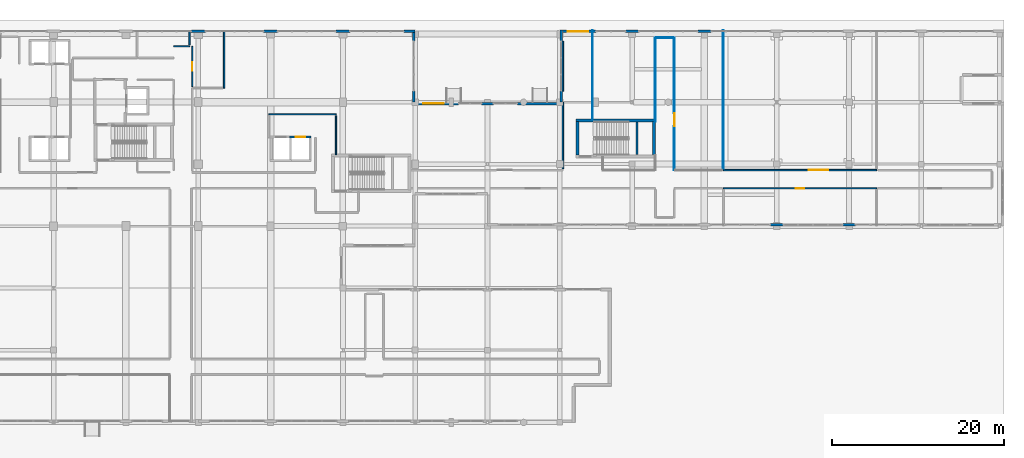
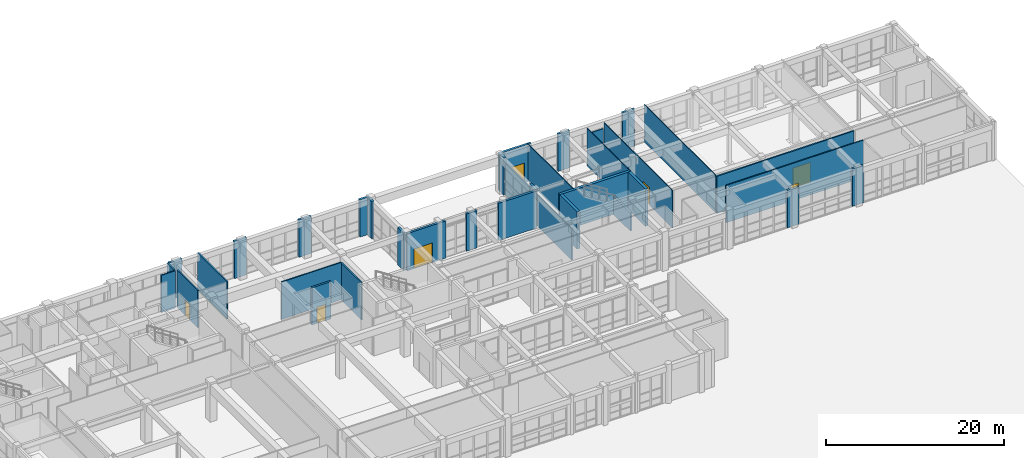
# One storey, part 134 of 148: 36 walls, 7 doors, 7 openings.
"""IFC4 building model written with IfcOpenShell, lengths in metres."""

import ifcopenshell
import ifcopenshell.guid

model = None  # the IFC model being written
_history = None  # IfcOwnerHistory: only IFC2X3 demands one
_inside = {}  # id of a spatial element -> (the spatial element, [elements in it])
_under = {}  # id of a project, library or spatial element -> (it, [spatial elements below it])
_declared = {}  # id of a project -> (the project, [libraries it declares])
_typed = {}  # id of a type object -> (the type object, [elements of that type])
_made_of = {}  # id of a material, layer set ... -> (it, [elements and type objects made of it])


def new_model(schema):
    """Start an empty IFC model of exactly this schema.

    Asked for "IFC4X3", IfcOpenShell would pick the latest addendum, in which some entities
    have other attributes; the version numbers below select the first issue.
    IFC2X3 requires an IfcOwnerHistory on every rooted entity: one is made here for all.
    """
    global model, _history
    if schema == "IFC4X3":
        model = ifcopenshell.file(schema_version=(4, 3, 0, 0))
    else:
        model = ifcopenshell.file(schema=schema)
    _inside.clear()
    _under.clear()
    _declared.clear()
    _typed.clear()
    _made_of.clear()
    _history = None
    if model.schema == "IFC2X3":
        org = make("IfcOrganization", Name="unknown")
        user = make(
            "IfcPersonAndOrganization",
            ThePerson=make("IfcPerson", FamilyName="unknown"),
            TheOrganization=org,
        )
        app = make(
            "IfcApplication",
            ApplicationDeveloper=org,
            Version="unknown",
            ApplicationFullName="unknown",
            ApplicationIdentifier="unknown",
        )
        _history = make(
            "IfcOwnerHistory",
            OwningUser=user,
            OwningApplication=app,
            ChangeAction="ADDED",
            CreationDate=0,
        )
    return model


def make(cls, **values):
    """One entity of the class cls with the attributes given. An attribute that is None is left unset."""
    return model.create_entity(
        cls, **{name: value for name, value in values.items() if value is not None}
    )


def rooted(cls, **values):
    """An entity with a GlobalId (a new one), such as an element, a storey or a relation."""
    return make(cls, GlobalId=ifcopenshell.guid.new(), OwnerHistory=_history, **values)


def si_unit(unit_type, name, prefix=None):
    """IfcSIUnit, for example si_unit("LENGTHUNIT", "METRE", prefix="MILLI")."""
    return make("IfcSIUnit", UnitType=unit_type, Prefix=prefix, Name=name)


def assignment(units):
    """IfcUnitAssignment: the units of a project."""
    return None if units is None else make("IfcUnitAssignment", Units=units)


def point(xyz):
    """IfcCartesianPoint."""
    return None if xyz is None else make("IfcCartesianPoint", Coordinates=xyz)


def direction(xyz):
    """IfcDirection."""
    return None if xyz is None else make("IfcDirection", DirectionRatios=xyz)


def frame(location, z_axis=None, x_axis=None):
    """IfcAxis2Placement3D, a coordinate frame: its origin and axes. An axis left out is left unset."""
    return make(
        "IfcAxis2Placement3D",
        Location=point(location),
        Axis=direction(z_axis),
        RefDirection=direction(x_axis),
    )


def frame_2d(location, x_axis=None):
    """IfcAxis2Placement2D, a coordinate frame in the plane: its origin and x axis."""
    return make(
        "IfcAxis2Placement2D", Location=point(location), RefDirection=direction(x_axis)
    )


def origin():
    """The frame at (0, 0, 0) with its axes left unset."""
    return frame((0.0, 0.0, 0.0))


def place(relative_to, where):
    """IfcLocalPlacement: puts the frame where relative to a parent placement (None: the world)."""
    return make(
        "IfcLocalPlacement", PlacementRelTo=relative_to, RelativePlacement=where
    )


def context(
    kind, dimensions, precision=None, world=None, true_north=None, identifier=None
):
    """IfcGeometricRepresentationContext, for example the 3D "Model" context."""
    return make(
        "IfcGeometricRepresentationContext",
        ContextIdentifier=identifier,
        ContextType=kind,
        CoordinateSpaceDimension=dimensions,
        Precision=precision,
        WorldCoordinateSystem=world,
        TrueNorth=true_north,
    )


def subcontext(parent, identifier, kind, view, scale=None):
    """IfcGeometricRepresentationSubContext, for example "Body" below "Model"."""
    return make(
        "IfcGeometricRepresentationSubContext",
        ContextIdentifier=identifier,
        ContextType=kind,
        ParentContext=parent,
        TargetScale=scale,
        TargetView=view,
    )


def project(units=None, contexts=None):
    """IfcProject with its units and contexts."""
    return rooted(
        "IfcProject",
        Name="project",
        RepresentationContexts=contexts,
        UnitsInContext=assignment(units),
    )


def spatial(cls, under=None, at=None, **own):
    """A site, building, storey or space (cls), placed at a placement, below another one or the project."""
    s = rooted(cls, ObjectPlacement=at, **own)
    if under is not None:
        _under.setdefault(under.id(), (under, []))[1].append(s)
    return s


def profile(cls, at=None, kind="AREA", **sizes):
    """A parametric profile (cls). Its sizes go by their IFC names, for example OverallWidth=200.0."""
    return make(cls, ProfileType=kind, Position=at, **sizes)


def rectangle(**sizes):
    """IfcRectangleProfileDef."""
    return profile("IfcRectangleProfileDef", **sizes)


def extrude(swept, where, along, depth):
    """IfcExtrudedAreaSolid: the profile swept, set in the frame where, extruded along a direction by depth."""
    return make(
        "IfcExtrudedAreaSolid",
        SweptArea=swept,
        Position=where,
        ExtrudedDirection=direction(along),
        Depth=depth,
    )


def shape(context_of_items, identifier, shape_type, items):
    """IfcShapeRepresentation: the items that make up one representation, for example the "Body"."""
    return make(
        "IfcShapeRepresentation",
        ContextOfItems=context_of_items,
        RepresentationIdentifier=identifier,
        RepresentationType=shape_type,
        Items=items,
    )


def material(Name=None, Category=None):
    """IfcMaterial."""
    return make("IfcMaterial", Name=Name, Category=Category)


def layer(
    of_material, thickness, ventilated=None, Name=None, Category=None, Priority=None
):
    """IfcMaterialLayer: one layer of a wall or slab, of a material (None: an air gap)."""
    return make(
        "IfcMaterialLayer",
        Material=of_material,
        LayerThickness=thickness,
        IsVentilated=ventilated,
        Name=Name,
        Category=Category,
        Priority=Priority,
    )


def layer_set(layers, Name=None):
    """IfcMaterialLayerSet."""
    return make("IfcMaterialLayerSet", MaterialLayers=layers, LayerSetName=Name)


def made_of(thing, what):
    """Note that an element or type object is made of a material, layer set ...; save() writes the relation."""
    if what is not None:
        _made_of.setdefault(what.id(), (what, []))[1].append(thing)
    return thing


def type_object(cls, material=None, **own):
    """A type object (cls), such as IfcWallType, which elements share."""
    return made_of(rooted(cls, **own), material)


def element(
    cls,
    number,
    at=None,
    inside=None,
    cuts=None,
    type_object=None,
    material=None,
    context=None,
    identifier="Body",
    shape_type=None,
    held_by="IfcProductDefinitionShape",
    body=None,
    shapes=None,
    **own,
):
    """One element of the class cls, such as IfcWall. Its Tag is "e" and its number.

    at: its placement. inside: the storey or other place that contains it. cuts: it is an
    opening in that element (IfcRelVoidsElement). A single representation is given by context,
    identifier, shape_type and body (its items); several are given by shapes. held_by: the class
    of the entity that holds the representations. save() writes the other relations.
    """
    e = rooted(cls, Tag="e%d" % number, ObjectPlacement=at, **own)
    if body is not None:
        shapes = [shape(context, identifier, shape_type, body)]
    if shapes is not None:
        e.Representation = make(held_by, Representations=shapes)
    if inside is not None:
        _inside.setdefault(inside.id(), (inside, []))[1].append(e)
    if cuts is not None:
        rooted(
            "IfcRelVoidsElement", RelatingBuildingElement=cuts, RelatedOpeningElement=e
        )
    if type_object is not None:
        _typed.setdefault(type_object.id(), (type_object, []))[1].append(e)
    return made_of(e, material)


def fill(opening, filler):
    """IfcRelFillsElement: the door or window that sits in an opening."""
    return rooted(
        "IfcRelFillsElement",
        RelatingOpeningElement=opening,
        RelatedBuildingElement=filler,
    )


def aggregate(whole, parts):
    """IfcRelAggregates: a whole, such as a stair, and the parts it consists of."""
    return rooted("IfcRelAggregates", RelatingObject=whole, RelatedObjects=parts)


def save(model, path):
    """Write the relations noted so far, then the file.

    IfcRelAggregates (storeys below a building ...), IfcRelContainedInSpatialStructure (elements
    in a storey), IfcRelDefinesByType, IfcRelAssociatesMaterial and IfcRelDeclares: one each for
    every whole, place, type object, material and project.
    """
    for whole, parts in _under.values():
        aggregate(whole, parts)
    for where, things in _inside.values():
        rooted(
            "IfcRelContainedInSpatialStructure",
            RelatedElements=things,
            RelatingStructure=where,
        )
    for kind, things in _typed.values():
        rooted("IfcRelDefinesByType", RelatedObjects=things, RelatingType=kind)
    for what, things in _made_of.values():
        rooted("IfcRelAssociatesMaterial", RelatedObjects=things, RelatingMaterial=what)
    for by, libraries in _declared.values():
        rooted("IfcRelDeclares", RelatingContext=by, RelatedDefinitions=libraries)
    model.write(path)


model = new_model("IFC4")

# Units and contexts
model_context = context("Model", 3, precision=1e-05, world=origin(), true_north=direction((0.0, 1.0)))
body_context = subcontext(model_context, "Body", "Model", "MODEL_VIEW")
ifc_project = project(units=[si_unit("LENGTHUNIT", "METRE"), si_unit("AREAUNIT", "SQUARE_METRE"), si_unit("VOLUMEUNIT", "CUBIC_METRE"), si_unit("PLANEANGLEUNIT", "RADIAN"), si_unit("MASSUNIT", "GRAM", prefix="KILO")], contexts=[model_context])

# Site, building, storey
site_placement = place(None, origin())
site = spatial("IfcSite", under=ifc_project, at=site_placement, CompositionType="ELEMENT")
building_placement = place(site_placement, origin())
building = spatial("IfcBuilding", under=site, at=building_placement, Name="Quendrovan Civic Courthouse", CompositionType="ELEMENT")
storey_placement = place(building_placement, origin())
storey = spatial("IfcBuildingStorey", under=building, at=storey_placement, Name="L01", CompositionType="ELEMENT", Elevation=0.0)

# Walls
ifc_material_1 = material(Name="Fire-rated gypsum stud partition")
ifc_layer_1 = layer(ifc_material_1, 0.159912109375, Name="Fire-rated gypsum stud partition")
ifc_layer_set_1 = layer_set([ifc_layer_1], Name="Fire-rated gypsum stud partition")
wall_type_1 = type_object("IfcWallType", Name="WL-COR-160", PredefinedType="PARTITIONING", material=ifc_layer_set_1)
wall_1_placement = place(storey_placement, frame((109.550048828125, 109.10009765625, 0.0), z_axis=(0.0, 0.0, 1.0), x_axis=(0.0, -1.0, 0.0)))
element("IfcWall", 1, at=wall_1_placement, inside=storey, type_object=wall_type_1, Name="L01 Civil Case Registry Partition 0176", PredefinedType="PARTITIONING", context=body_context, shape_type="SweptSolid", body=[
    extrude(rectangle(XDim=5.800048828125, YDim=0.159912109375, at=frame_2d((2.89990234375, 0.0))), origin(), (0.0, 0.0, 1.0), 4.31005859375),
])
wall_2_placement = place(storey_placement, frame((109.550048828125, 102.0, 0.0), z_axis=(0.0, 0.0, 1.0), x_axis=(0.0, -1.0, 0.0)))
element("IfcWall", 2, at=wall_2_placement, inside=storey, type_object=wall_type_1, Name="L01 Civil Case Registry Partition 0177", PredefinedType="PARTITIONING", context=body_context, shape_type="SweptSolid", body=[
    extrude(rectangle(XDim=7.739990234375, YDim=0.159912109375, at=frame_2d((3.8701171875, 0.0))), origin(), (0.0, 0.0, 1.0), 4.31005859375),
])
wall_3_placement = place(storey_placement, frame((83.199951171875, 100.60009765625, 0.0), z_axis=(0.0, 0.0, 1.0), x_axis=(-1.0, 0.0, 0.0)))
element("IfcWall", 3, at=wall_3_placement, inside=storey, type_object=wall_type_1, Name="L01 Civil Case Registry Partition 0200", PredefinedType="PARTITIONING", context=body_context, shape_type="SweptSolid", body=[
    extrude(rectangle(XDim=7.800048828125, YDim=0.159912109375, at=frame_2d((3.89990234375, 0.0))), origin(), (0.0, 0.0, 1.0), 5.1201171875),
])
wall_4_placement = place(storey_placement, frame((70.199951171875, 110.25, 0.0), z_axis=(0.0, 0.0, 1.0), x_axis=(0.0, -1.0, 0.0)))
element("IfcWall", 4, at=wall_4_placement, inside=storey, type_object=wall_type_1, Name="L01 Fire Command Centre Partition 0207", PredefinedType="PARTITIONING", context=body_context, shape_type="SweptSolid", body=[
    extrude(rectangle(XDim=6.60009765625, YDim=0.159912109375, at=frame_2d((3.300048828125, 0.0))), origin(), (0.0, 0.0, 1.0), 5.1201171875),
])

# Wall, opening, door
wall_5_placement = place(storey_placement, frame((66.5, 103.81005859375, 0.0), z_axis=(0.0, 0.0, 1.0), x_axis=(0.0, 1.0, 0.0)))
wall_5 = element("IfcWall", 5, at=wall_5_placement, inside=storey, type_object=wall_type_1, Name="L01 Fire Command Centre Partition 0227", PredefinedType="PARTITIONING", context=body_context, shape_type="SweptSolid", body=[
    extrude(rectangle(XDim=4.68994140625, YDim=0.159912109375, at=frame_2d((2.344970703125, 0.0))), origin(), (0.0, 0.0, 1.0), 5.1201171875),
])
opening_1_placement = place(wall_5_placement, frame((1.864990234375, 0.0, 0.0)))
opening_1 = element("IfcOpeningElement", 6, at=opening_1_placement, cuts=wall_5, Name="Opening D-L01-027", PredefinedType="OPENING", context=body_context, shape_type="SweptSolid", body=[
    extrude(rectangle(XDim=0.9599609375, YDim=2.139892578125, at=frame_2d((0.47998046875, 1.06982421875))), frame((0.0, 0.08984375, 0.0), z_axis=(0.0, -1.0, 0.0), x_axis=(1.0, 0.0, 0.0)), (0.0, 0.0, 1.0), 0.179931640625),
])
ifc_material_2 = material(Name="Moisture-resistant laminate timber door", Category="wood")
door_type_1 = type_object("IfcDoorType", Name="DR-WC-ACC-960", OperationType="NOTDEFINED", PredefinedType="DOOR", material=ifc_material_2)
door_1_placement = place(opening_1_placement, origin())
door_1 = element("IfcDoor", 7, at=door_1_placement, inside=storey, type_object=door_type_1, Name="L01 Fire Command Centre Door D-L01-027", OperationType="SINGLE_SWING_RIGHT", OverallHeight=2.139892578125, OverallWidth=0.9599609375, PredefinedType="DOOR", context=body_context, shape_type="SweptSolid", body=[
    extrude(rectangle(XDim=0.9599609375, YDim=2.139892578125, at=frame_2d((0.47998046875, 1.06982421875))), frame((0.0, 0.02490234375, 0.0), z_axis=(0.0, -1.0, 0.0), x_axis=(1.0, 0.0, 0.0)), (0.0, 0.0, 1.0), 0.050048828125),
])
fill(opening_1, door_1)

# Walls
wall_6_placement = place(storey_placement, frame((83.199951171875, 95.919921875, 0.0), z_axis=(0.0, 0.0, 1.0), x_axis=(0.0, 1.0, 0.0)))
element("IfcWall", 8, at=wall_6_placement, inside=storey, type_object=wall_type_1, Name="L01 Civil Case Registry Partition 0231", PredefinedType="PARTITIONING", context=body_context, shape_type="SweptSolid", body=[
    extrude(rectangle(XDim=4.52001953125, YDim=0.159912109375, at=frame_2d((2.260009765625, 0.0))), origin(), (0.0, 0.0, 1.0), 5.1201171875),
])
wall_7_placement = place(storey_placement, frame((66.199951171875, 108.5, 0.0), z_axis=(0.0, 0.0, 1.0), x_axis=(-1.0, 0.0, 0.0)))
element("IfcWall", 9, at=wall_7_placement, inside=storey, type_object=wall_type_1, Name="L01 Civil Case Registry Partition 0276", PredefinedType="PARTITIONING", context=body_context, shape_type="SweptSolid", body=[
    extrude(rectangle(XDim=1.849853515625, YDim=0.159912109375, at=frame_2d((0.9248046875, 0.0))), origin(), (0.0, 0.0, 1.0), 5.1201171875),
])
wall_8_placement = place(storey_placement, frame((66.199951171875, 108.659912109375, 0.0), z_axis=(0.0, 0.0, 1.0), x_axis=(0.0, 1.0, 0.0)))
element("IfcWall", 10, at=wall_8_placement, inside=storey, type_object=wall_type_1, Name="L01 Fire Command Centre Partition 0281", PredefinedType="PARTITIONING", context=body_context, shape_type="SweptSolid", body=[
    extrude(rectangle(XDim=1.590087890625, YDim=0.159912109375, at=frame_2d((0.794921875, 0.0))), origin(), (0.0, 0.0, 1.0), 5.1201171875),
])
ifc_material_3 = material(Name="Concrete C45/55", Category="concrete")
ifc_layer_2 = layer(ifc_material_3, 0.35009765625, Name="Concrete C45/55")
ifc_layer_set_2 = layer_set([ifc_layer_2], Name="Concrete C45/55")
wall_type_2 = type_object("IfcWallType", Name="WL-CORE-350", PredefinedType="SHEAR", material=ifc_layer_set_2)
wall_9_placement = place(storey_placement, frame((120.31005859375, 99.885009765625, 0.0), z_axis=(0.0, 0.0, 1.0), x_axis=(-1.0, 0.0, 0.0)))
element("IfcWall", 11, at=wall_9_placement, inside=storey, type_object=wall_type_2, Name="L01 Core Shear Wall ST6-N", PredefinedType="SHEAR", context=body_context, shape_type="SweptSolid", body=[
    extrude(rectangle(XDim=9.219970703125, YDim=0.35009765625, at=frame_2d((4.60986328125, 0.0))), origin(), (0.0, 0.0, 1.0), 5.1201171875),
])
for number, where, z_axis, x_axis, name in (
    (12, (111.264892578125, 95.85009765625, 0.0), (0.0, 0.0, 1.0), (0.0, 1.0, 0.0), "L01 Core Shear Wall ST6-W"),
    (13, (120.135009765625, 99.75, 0.0), (0.0, 0.0, 1.0), (0.0, -1.0, 0.0), "L01 Core Shear Wall ST6-E"),
):
    element("IfcWall", number, at=place(storey_placement, frame(where, z_axis=z_axis, x_axis=x_axis)), inside=storey, type_object=wall_type_2, Name=name, PredefinedType="SHEAR", context=body_context, shape_type="SweptSolid", body=[
        extrude(rectangle(XDim=3.89990234375, YDim=0.35009765625, at=frame_2d((1.949951171875, 0.0))), origin(), (0.0, 0.0, 1.0), 5.1201171875),
    ])

# Wall, opening, door
ifc_material_4 = material(Name="Acoustic gypsum and mineral wool partition")
ifc_layer_3 = layer(ifc_material_4, 0.179931640625, Name="Acoustic gypsum and mineral wool partition")
ifc_layer_set_3 = layer_set([ifc_layer_3], Name="Acoustic gypsum and mineral wool partition")
wall_type_3 = type_object("IfcWallType", Name="WL-CRT-AC180", PredefinedType="PARTITIONING", material=ifc_layer_set_3)
wall_10_placement = place(storey_placement, frame((146.0, 94.10009765625, 0.0), z_axis=(0.0, 0.0, 1.0), x_axis=(-1.0, 0.0, 0.0)))
wall_10 = element("IfcWall", 14, at=wall_10_placement, inside=storey, type_object=wall_type_3, Name="L01 Ceremonial Courtroom Partition 0173", PredefinedType="PARTITIONING", context=body_context, shape_type="SweptSolid", body=[
    extrude(rectangle(XDim=17.800048828125, YDim=0.179931640625, at=frame_2d((8.89990234375, 0.0))), origin(), (0.0, 0.0, 1.0), 5.1201171875),
])
opening_2_placement = place(wall_10_placement, frame((5.6240234375, 0.0, 0.0)))
opening_2 = element("IfcOpeningElement", 15, at=opening_2_placement, cuts=wall_10, Name="Opening D-L01-042", PredefinedType="OPENING", context=body_context, shape_type="SweptSolid", body=[
    extrude(rectangle(XDim=2.280029296875, YDim=2.75, at=frame_2d((1.14013671875, 1.375))), frame((0.0, 0.10009765625, 0.0), z_axis=(0.0, -1.0, 0.0), x_axis=(1.0, 0.0, 0.0)), (0.0, 0.0, 1.0), 0.199951171875),
])
ifc_material_5 = material(Name="Bronze-framed acoustic timber ceremonial door", Category="wood")
door_type_2 = type_object("IfcDoorType", Name="DR-CER-DBL2280", OperationType="NOTDEFINED", PredefinedType="DOOR", material=ifc_material_5)
door_2_placement = place(opening_2_placement, origin())
door_2 = element("IfcDoor", 16, at=door_2_placement, inside=storey, type_object=door_type_2, Name="L01 Ceremonial Courtroom Door D-L01-042", OperationType="SINGLE_SWING_LEFT", OverallHeight=2.75, OverallWidth=2.280029296875, PredefinedType="DOOR", context=body_context, shape_type="SweptSolid", body=[
    extrude(rectangle(XDim=2.280029296875, YDim=2.75, at=frame_2d((1.14013671875, 1.375))), frame((0.0, 0.02490234375, 0.0), z_axis=(0.0, -1.0, 0.0), x_axis=(1.0, 0.0, 0.0)), (0.0, 0.0, 1.0), 0.050048828125),
])
fill(opening_2, door_2)

# Walls
ifc_material_6 = material(Name="Precast concrete C45/55", Category="concrete")
ifc_layer_4 = layer(ifc_material_6, 0.2900390625, Name="Precast concrete C45/55")
ifc_layer_set_4 = layer_set([ifc_layer_4], Name="Precast concrete C45/55")
wall_type_4 = type_object("IfcWallType", Name="WL-EXT-PC290", PredefinedType="SOLIDWALL", material=ifc_layer_set_4)
wall_11_placement = place(storey_placement, frame((66.375, 110.235107421875, 0.0), z_axis=(0.0, 0.0, 1.0), x_axis=(1.0, 0.0, 0.0)))
element("IfcWall", 17, at=wall_11_placement, inside=storey, type_object=wall_type_4, Name="L01 Exterior Pier Wall 103", PredefinedType="SOLIDWALL", context=body_context, shape_type="SweptSolid", body=[
    extrude(rectangle(XDim=1.64990234375, YDim=0.2900390625, at=frame_2d((0.824951171875, 0.0))), origin(), (0.0, 0.0, 1.0), 5.1201171875),
])
wall_12_placement = place(storey_placement, frame((74.800048828125, 110.235107421875, 0.0), z_axis=(0.0, 0.0, 1.0), x_axis=(1.0, 0.0, 0.0)))
element("IfcWall", 18, at=wall_12_placement, inside=storey, type_object=wall_type_4, Name="L01 Exterior Pier Wall 104", PredefinedType="SOLIDWALL", context=body_context, shape_type="SweptSolid", body=[
    extrude(rectangle(XDim=1.599853515625, YDim=0.2900390625, at=frame_2d((0.7998046875, 0.0))), origin(), (0.0, 0.0, 1.0), 5.1201171875),
])
wall_13_placement = place(storey_placement, frame((83.199951171875, 110.235107421875, 0.0), z_axis=(0.0, 0.0, 1.0), x_axis=(1.0, 0.0, 0.0)))
element("IfcWall", 19, at=wall_13_placement, inside=storey, type_object=wall_type_4, Name="L01 Exterior Pier Wall 105", PredefinedType="SOLIDWALL", context=body_context, shape_type="SweptSolid", body=[
    extrude(rectangle(XDim=1.60009765625, YDim=0.2900390625, at=frame_2d((0.800048828125, 0.0))), origin(), (0.0, 0.0, 1.0), 5.1201171875),
])
for number, where, z_axis, x_axis, name in (
    (20, (91.10009765625, 110.235107421875, 0.0), (0.0, 0.0, 1.0), (1.0, 0.0, 0.0), "L01 Exterior Pier Wall 106"),
    (21, (92.235107421875, 110.39990234375, 0.0), (0.0, 0.0, 1.0), (0.0, -1.0, 0.0), "L01 Exterior Pier Wall 107"),
):
    element("IfcWall", number, at=place(storey_placement, frame(where, z_axis=z_axis, x_axis=x_axis)), inside=storey, type_object=wall_type_4, Name=name, PredefinedType="SOLIDWALL", context=body_context, shape_type="SweptSolid", body=[
        extrude(rectangle(XDim=1.2998046875, YDim=0.2900390625, at=frame_2d((0.64990234375, 0.0))), origin(), (0.0, 0.0, 1.0), 5.1201171875),
    ])
wall_14_placement = place(storey_placement, frame((92.235107421875, 103.300048828125, 0.0), z_axis=(0.0, 0.0, 1.0), x_axis=(0.0, -1.0, 0.0)))
element("IfcWall", 22, at=wall_14_placement, inside=storey, type_object=wall_type_4, Name="L01 Exterior Pier Wall 108", PredefinedType="SOLIDWALL", context=body_context, shape_type="SweptSolid", body=[
    extrude(rectangle(XDim=1.300048828125, YDim=0.2900390625, at=frame_2d((0.64990234375, 0.0))), origin(), (0.0, 0.0, 1.0), 5.1201171875),
])

# Wall, opening, door
wall_15_placement = place(storey_placement, frame((92.39990234375, 101.8349609375, 0.0), z_axis=(0.0, 0.0, 1.0), x_axis=(1.0, 0.0, 0.0)))
wall_15 = element("IfcWall", 23, at=wall_15_placement, inside=storey, type_object=wall_type_4, Name="L01 Exterior Pier Wall 109", PredefinedType="SOLIDWALL", context=body_context, shape_type="SweptSolid", body=[
    extrude(rectangle(XDim=5.025146484375, YDim=0.2900390625, at=frame_2d((2.5126953125, 0.0))), origin(), (0.0, 0.0, 1.0), 5.1201171875),
])
opening_3_placement = place(wall_15_placement, frame((0.910400390625, 0.0, 0.0)))
opening_3 = element("IfcOpeningElement", 24, at=opening_3_placement, cuts=wall_15, Name="Opening DE-15", PredefinedType="OPENING", context=body_context, shape_type="SweptSolid", body=[
    extrude(rectangle(XDim=2.39990234375, YDim=2.699951171875, at=frame_2d((1.199951171875, 1.35009765625))), frame((0.0, 0.155029296875, 0.0), z_axis=(0.0, -1.0, 0.0), x_axis=(1.0, 0.0, 0.0)), (0.0, 0.0, 1.0), 0.31005859375),
])
ifc_material_7 = material(Name="Bronze anodised aluminium and low-E glass", Category="aluminium")
door_type_3 = type_object("IfcDoorType", Name="DR-EXT-MAIN-2400", OperationType="NOTDEFINED", PredefinedType="DOOR", material=ifc_material_7)
door_3_placement = place(opening_3_placement, origin())
door_3 = element("IfcDoor", 25, at=door_3_placement, inside=storey, type_object=door_type_3, Name="L01 Courtyard Civic Exit Door DE-15", OperationType="SINGLE_SWING_LEFT", OverallHeight=2.699951171875, OverallWidth=2.39990234375, PredefinedType="DOOR", context=body_context, shape_type="SweptSolid", body=[
    extrude(rectangle(XDim=2.39990234375, YDim=2.699951171875, at=frame_2d((1.199951171875, 1.35009765625))), frame((0.0, 0.02490234375, 0.0), z_axis=(0.0, -1.0, 0.0), x_axis=(1.0, 0.0, 0.0)), (0.0, 0.0, 1.0), 0.050048828125),
])
fill(opening_3, door_3)

# Walls
wall_16_placement = place(storey_placement, frame((100.125, 101.8349609375, 0.0), z_axis=(0.0, 0.0, 1.0), x_axis=(1.0, 0.0, 0.0)))
element("IfcWall", 26, at=wall_16_placement, inside=storey, type_object=wall_type_4, Name="L01 Exterior Pier Wall 110", PredefinedType="SOLIDWALL", context=body_context, shape_type="SweptSolid", body=[
    extrude(rectangle(XDim=1.35009765625, YDim=0.2900390625, at=frame_2d((0.675048828125, 0.0))), origin(), (0.0, 0.0, 1.0), 5.1201171875),
])
wall_17_placement = place(storey_placement, frame((104.27490234375, 101.8349609375, 0.0), z_axis=(0.0, 0.0, 1.0), x_axis=(1.0, 0.0, 0.0)))
element("IfcWall", 27, at=wall_17_placement, inside=storey, type_object=wall_type_4, Name="L01 Exterior Pier Wall 111", PredefinedType="SOLIDWALL", context=body_context, shape_type="SweptSolid", body=[
    extrude(rectangle(XDim=4.925048828125, YDim=0.2900390625, at=frame_2d((2.46240234375, 0.0))), origin(), (0.0, 0.0, 1.0), 5.1201171875),
])
wall_18_placement = place(storey_placement, frame((109.364990234375, 102.0, 0.0), z_axis=(0.0, 0.0, 1.0), x_axis=(0.0, 1.0, 0.0)))
element("IfcWall", 28, at=wall_18_placement, inside=storey, type_object=wall_type_4, Name="L01 Exterior Pier Wall 112", PredefinedType="SOLIDWALL", context=body_context, shape_type="SweptSolid", body=[
    extrude(rectangle(XDim=1.300048828125, YDim=0.2900390625, at=frame_2d((0.64990234375, 0.0))), origin(), (0.0, 0.0, 1.0), 5.1201171875),
])
wall_19_placement = place(storey_placement, frame((109.364990234375, 109.10009765625, 0.0), z_axis=(0.0, 0.0, 1.0), x_axis=(0.0, 1.0, 0.0)))
element("IfcWall", 29, at=wall_19_placement, inside=storey, type_object=wall_type_4, Name="L01 Exterior Pier Wall 113", PredefinedType="SOLIDWALL", context=body_context, shape_type="SweptSolid", body=[
    extrude(rectangle(XDim=1.2998046875, YDim=0.2900390625, at=frame_2d((0.64990234375, 0.0))), origin(), (0.0, 0.0, 1.0), 5.1201171875),
])

# Wall, opening, door
wall_20_placement = place(storey_placement, frame((109.199951171875, 110.235107421875, 0.0), z_axis=(0.0, 0.0, 1.0), x_axis=(1.0, 0.0, 0.0)))
wall_20 = element("IfcWall", 30, at=wall_20_placement, inside=storey, type_object=wall_type_4, Name="L01 Exterior Pier Wall 114", PredefinedType="SOLIDWALL", context=body_context, shape_type="SweptSolid", body=[
    extrude(rectangle(XDim=4.199951171875, YDim=0.2900390625, at=frame_2d((2.10009765625, 0.0))), origin(), (0.0, 0.0, 1.0), 5.1201171875),
])
opening_4_placement = place(wall_20_placement, frame((0.89990234375, 0.0, 0.0)))
opening_4 = element("IfcOpeningElement", 31, at=opening_4_placement, cuts=wall_20, Name="Opening DE-16", PredefinedType="OPENING", context=body_context, shape_type="SweptSolid", body=[
    extrude(rectangle(XDim=2.39990234375, YDim=2.699951171875, at=frame_2d((1.199951171875, 1.35009765625))), frame((0.0, 0.155029296875, 0.0), z_axis=(0.0, -1.0, 0.0), x_axis=(1.0, 0.0, 0.0)), (0.0, 0.0, 1.0), 0.31005859375),
])
door_4_placement = place(opening_4_placement, origin())
door_4 = element("IfcDoor", 32, at=door_4_placement, inside=storey, type_object=door_type_3, Name="L01 Courtyard Civic Exit Door DE-16", OperationType="SINGLE_SWING_LEFT", OverallHeight=2.699951171875, OverallWidth=2.39990234375, PredefinedType="DOOR", context=body_context, shape_type="SweptSolid", body=[
    extrude(rectangle(XDim=2.39990234375, YDim=2.699951171875, at=frame_2d((1.199951171875, 1.35009765625))), frame((0.0, 0.02490234375, 0.0), z_axis=(0.0, -1.0, 0.0), x_axis=(1.0, 0.0, 0.0)), (0.0, 0.0, 1.0), 0.050048828125),
])
fill(opening_4, door_4)

# Walls
wall_21_placement = place(storey_placement, frame((116.85009765625, 110.235107421875, 0.0), z_axis=(0.0, 0.0, 1.0), x_axis=(1.0, 0.0, 0.0)))
element("IfcWall", 33, at=wall_21_placement, inside=storey, type_object=wall_type_4, Name="L01 Exterior Pier Wall 115", PredefinedType="SOLIDWALL", context=body_context, shape_type="SweptSolid", body=[
    extrude(rectangle(XDim=1.5, YDim=0.2900390625, at=frame_2d((0.75, 0.0))), origin(), (0.0, 0.0, 1.0), 5.1201171875),
])
wall_22_placement = place(storey_placement, frame((125.22509765625, 110.235107421875, 0.0), z_axis=(0.0, 0.0, 1.0), x_axis=(1.0, 0.0, 0.0)))
element("IfcWall", 34, at=wall_22_placement, inside=storey, type_object=wall_type_4, Name="L01 Exterior Pier Wall 116", PredefinedType="SOLIDWALL", context=body_context, shape_type="SweptSolid", body=[
    extrude(rectangle(XDim=1.5498046875, YDim=0.2900390625, at=frame_2d((0.77490234375, 0.0))), origin(), (0.0, 0.0, 1.0), 5.1201171875),
])
wall_23_placement = place(storey_placement, frame((143.52490234375, 87.764892578125, 0.0), z_axis=(0.0, 0.0, 1.0), x_axis=(-1.0, 0.0, 0.0)))
element("IfcWall", 35, at=wall_23_placement, inside=storey, type_object=wall_type_4, Name="L01 Exterior Pier Wall 129", PredefinedType="SOLIDWALL", context=body_context, shape_type="SweptSolid", body=[
    extrude(rectangle(XDim=1.449951171875, YDim=0.2900390625, at=frame_2d((0.72509765625, 0.0))), origin(), (0.0, 0.0, 1.0), 5.1201171875),
])
wall_24_placement = place(storey_placement, frame((135.14990234375, 87.764892578125, 0.0), z_axis=(0.0, 0.0, 1.0), x_axis=(-1.0, 0.0, 0.0)))
element("IfcWall", 36, at=wall_24_placement, inside=storey, type_object=wall_type_4, Name="L01 Exterior Pier Wall 130", PredefinedType="SOLIDWALL", context=body_context, shape_type="SweptSolid", body=[
    extrude(rectangle(XDim=1.5, YDim=0.2900390625, at=frame_2d((0.75, 0.0))), origin(), (0.0, 0.0, 1.0), 5.1201171875),
])
ifc_material_8 = material(Name="Lightweight gypsum partition")
ifc_layer_5 = layer(ifc_material_8, 0.10009765625, Name="Lightweight gypsum partition")
ifc_layer_set_5 = layer_set([ifc_layer_5], Name="Lightweight gypsum partition")
wall_type_5 = type_object("IfcWallType", Name="WL-INT-100", PredefinedType="PARTITIONING", material=ifc_layer_set_5)
wall_25_placement = place(storey_placement, frame((128.199951171875, 110.340087890625, 0.0), z_axis=(0.0, 0.0, 1.0), x_axis=(0.0, -1.0, 0.0)))
element("IfcWall", 37, at=wall_25_placement, inside=storey, type_object=wall_type_5, Name="L01 Community Legal Aid Room Partition 0178", PredefinedType="PARTITIONING", context=body_context, shape_type="SweptSolid", body=[
    extrude(rectangle(XDim=16.070068359375, YDim=0.10009765625, at=frame_2d((8.03515625, 0.0))), origin(), (0.0, 0.0, 1.0), 5.1201171875),
])

# Wall, opening, door
wall_26_placement = place(storey_placement, frame((122.5, 94.10009765625, 0.0), z_axis=(0.0, 0.0, 1.0), x_axis=(0.0, 1.0, 0.0)))
wall_26 = element("IfcWall", 38, at=wall_26_placement, inside=storey, type_object=wall_type_5, Name="L01 Community Legal Aid Room Partition 0179", PredefinedType="PARTITIONING", context=body_context, shape_type="SweptSolid", body=[
    extrude(rectangle(XDim=15.39990234375, YDim=0.10009765625, at=frame_2d((7.699951171875, 0.0))), origin(), (0.0, 0.0, 1.0), 5.1201171875),
])
opening_5_placement = place(wall_26_placement, frame((5.092041015625, 0.0, 0.0)))
opening_5 = element("IfcOpeningElement", 39, at=opening_5_placement, cuts=wall_26, Name="Opening D-L01-041", PredefinedType="OPENING", context=body_context, shape_type="SweptSolid", body=[
    extrude(rectangle(XDim=1.52001953125, YDim=2.39990234375, at=frame_2d((0.760009765625, 1.199951171875))), frame((0.0, 0.06005859375, 0.0), z_axis=(0.0, -1.0, 0.0), x_axis=(1.0, 0.0, 0.0)), (0.0, 0.0, 1.0), 0.1201171875),
])
ifc_material_9 = material(Name="Acoustic timber double-leaf door", Category="wood")
door_type_4 = type_object("IfcDoorType", Name="DR-CONF-1520", OperationType="NOTDEFINED", PredefinedType="DOOR", material=ifc_material_9)
door_5_placement = place(opening_5_placement, origin())
door_5 = element("IfcDoor", 40, at=door_5_placement, inside=storey, type_object=door_type_4, Name="L01 Community Legal Aid Room Door D-L01-041", OperationType="SINGLE_SWING_RIGHT", OverallHeight=2.39990234375, OverallWidth=1.52001953125, PredefinedType="DOOR", context=body_context, shape_type="SweptSolid", body=[
    extrude(rectangle(XDim=1.52001953125, YDim=2.39990234375, at=frame_2d((0.760009765625, 1.199951171875))), frame((0.0, 0.02490234375, 0.0), z_axis=(0.0, -1.0, 0.0), x_axis=(1.0, 0.0, 0.0)), (0.0, 0.0, 1.0), 0.050048828125),
])
fill(opening_5, door_5)

# Walls
wall_27_placement = place(storey_placement, frame((120.300048828125, 109.5, 0.0), z_axis=(0.0, 0.0, 1.0), x_axis=(0.0, -1.0, 0.0)))
element("IfcWall", 41, at=wall_27_placement, inside=storey, type_object=wall_type_5, Name="L01 Community Legal Aid Room Partition 0180", PredefinedType="PARTITIONING", context=body_context, shape_type="SweptSolid", body=[
    extrude(rectangle(XDim=9.75, YDim=0.10009765625, at=frame_2d((4.875, 0.0))), origin(), (0.0, 0.0, 1.0), 5.1201171875),
])
wall_28_placement = place(storey_placement, frame((113.0, 99.969970703125, 0.0), z_axis=(0.0, 0.0, 1.0), x_axis=(0.0, 1.0, 0.0)))
element("IfcWall", 42, at=wall_28_placement, inside=storey, type_object=wall_type_5, Name="L01 Community Legal Aid Room Partition 0192", PredefinedType="PARTITIONING", context=body_context, shape_type="SweptSolid", body=[
    extrude(rectangle(XDim=10.3701171875, YDim=0.10009765625, at=frame_2d((5.18505859375, 0.0))), origin(), (0.0, 0.0, 1.0), 5.1201171875),
])
wall_29_placement = place(storey_placement, frame((122.3701171875, 109.5, 0.0), z_axis=(0.0, 0.0, 1.0), x_axis=(-1.0, 0.0, 0.0)))
element("IfcWall", 43, at=wall_29_placement, inside=storey, type_object=wall_type_5, Name="L01 Community Legal Aid Room Partition 0269", PredefinedType="PARTITIONING", context=body_context, shape_type="SweptSolid", body=[
    extrude(rectangle(XDim=1.940185546875, YDim=0.10009765625, at=frame_2d((0.97021484375, 0.0))), origin(), (0.0, 0.0, 1.0), 4.360107421875),
])

# Wall, opening, door
ifc_material_10 = material(Name="Acoustic gypsum stud partition")
ifc_layer_6 = layer(ifc_material_10, 0.14990234375, Name="Acoustic gypsum stud partition")
ifc_layer_set_6 = layer_set([ifc_layer_6], Name="Acoustic gypsum stud partition")
wall_type_6 = type_object("IfcWallType", Name="WL-JURY-150", PredefinedType="PARTITIONING", material=ifc_layer_set_6)
wall_30_placement = place(storey_placement, frame((128.199951171875, 92.0, 0.0), z_axis=(0.0, 0.0, 1.0), x_axis=(1.0, 0.0, 0.0)))
wall_30 = element("IfcWall", 44, at=wall_30_placement, inside=storey, type_object=wall_type_6, Name="L01 Press Room Partition 0172", PredefinedType="PARTITIONING", context=body_context, shape_type="SweptSolid", body=[
    extrude(rectangle(XDim=17.800048828125, YDim=0.14990234375, at=frame_2d((8.89990234375, 0.0))), origin(), (0.0, 0.0, 1.0), 5.1201171875),
])
opening_6_placement = place(wall_30_placement, frame((8.429931640625, 0.0, 0.0)))
opening_6 = element("IfcOpeningElement", 45, at=opening_6_placement, cuts=wall_30, Name="Opening D-L01-036", PredefinedType="OPENING", context=body_context, shape_type="SweptSolid", body=[
    extrude(rectangle(XDim=0.93994140625, YDim=2.179931640625, at=frame_2d((0.469970703125, 1.08984375))), frame((0.0, 0.0849609375, 0.0), z_axis=(0.0, -1.0, 0.0), x_axis=(1.0, 0.0, 0.0)), (0.0, 0.0, 1.0), 0.169921875),
])
ifc_material_11 = material(Name="Solid core timber office door", Category="wood")
door_type_5 = type_object("IfcDoorType", Name="DR-OFF-940", OperationType="NOTDEFINED", PredefinedType="DOOR", material=ifc_material_11)
door_6_placement = place(opening_6_placement, origin())
door_6 = element("IfcDoor", 46, at=door_6_placement, inside=storey, type_object=door_type_5, Name="L01 Press Room Door D-L01-036", OperationType="SINGLE_SWING_LEFT", OverallHeight=2.179931640625, OverallWidth=0.93994140625, PredefinedType="DOOR", context=body_context, shape_type="SweptSolid", body=[
    extrude(rectangle(XDim=0.93994140625, YDim=2.179931640625, at=frame_2d((0.469970703125, 1.08984375))), frame((0.0, 0.02490234375, 0.0), z_axis=(0.0, -1.0, 0.0), x_axis=(1.0, 0.0, 0.0)), (0.0, 0.0, 1.0), 0.050048828125),
])
fill(opening_6, door_6)

# Wall
ifc_layer_7 = layer(ifc_material_3, 0.25, Name="Concrete C45/55")
ifc_layer_set_7 = layer_set([ifc_layer_7], Name="Concrete C45/55")
wall_type_7 = type_object("IfcWallType", Name="WL-SHAFT-250", PredefinedType="SHEAR", material=ifc_layer_set_7)
wall_31_placement = place(storey_placement, frame((118.14990234375, 95.89990234375, 0.0), z_axis=(0.0, 0.0, 1.0), x_axis=(0.0, 1.0, 0.0)))
element("IfcWall", 47, at=wall_31_placement, inside=storey, type_object=wall_type_7, Name="L01 Stair ST6 Mid-Landing Bearing Wall", PredefinedType="SHEAR", context=body_context, shape_type="SweptSolid", body=[
    extrude(rectangle(XDim=3.800048828125, YDim=0.25, at=frame_2d((1.89990234375, 0.0))), origin(), (0.0, 0.0, 1.0), 2.52001953125),
])

# Wall, opening, door
wall_32_placement = place(storey_placement, frame((80.300048828125, 97.97509765625, 0.0), z_axis=(0.0, 0.0, 1.0), x_axis=(-1.0, 0.0, 0.0)))
wall_32 = element("IfcWall", 48, at=wall_32_placement, inside=storey, type_object=wall_type_7, Name="L01 Lift Hoistway Wall PL2 +Y", PredefinedType="SHEAR", context=body_context, shape_type="SweptSolid", body=[
    extrude(rectangle(XDim=2.5, YDim=0.25, at=frame_2d((1.25, 0.0))), origin(), (0.0, 0.0, 1.0), 5.1201171875),
])
opening_7_placement = place(wall_32_placement, frame((0.699951171875, 0.0, 0.0)))
opening_7 = element("IfcOpeningElement", 49, at=opening_7_placement, cuts=wall_32, Name="Opening LD-PL2-L01", PredefinedType="OPENING", context=body_context, shape_type="SweptSolid", body=[
    extrude(rectangle(XDim=1.10009765625, YDim=2.199951171875, at=frame_2d((0.550048828125, 1.10009765625))), frame((0.0, 0.135009765625, 0.0), z_axis=(0.0, -1.0, 0.0), x_axis=(1.0, 0.0, 0.0)), (0.0, 0.0, 1.0), 0.27001953125),
])
ifc_material_12 = material(Name="Brushed bronze-anodised stainless steel", Category="steel")
door_type_6 = type_object("IfcDoorType", Name="DR-LIFT-LD-PL", OperationType="NOTDEFINED", PredefinedType="DOOR", material=ifc_material_12)
door_7_placement = place(opening_7_placement, origin())
door_7 = element("IfcDoor", 50, at=door_7_placement, inside=storey, type_object=door_type_6, Name="L01 Lift PL2 Sliding Landing Door", OperationType="SLIDING_TO_RIGHT", OverallHeight=2.199951171875, OverallWidth=1.10009765625, PredefinedType="DOOR", context=body_context, shape_type="SweptSolid", body=[
    extrude(rectangle(XDim=1.10009765625, YDim=2.199951171875, at=frame_2d((0.550048828125, 1.10009765625))), frame((0.0, 0.02490234375, 0.0), z_axis=(0.0, -1.0, 0.0), x_axis=(1.0, 0.0, 0.0)), (0.0, 0.0, 1.0), 0.050048828125),
])
fill(opening_7, door_7)

save(model, "model.ifc")
